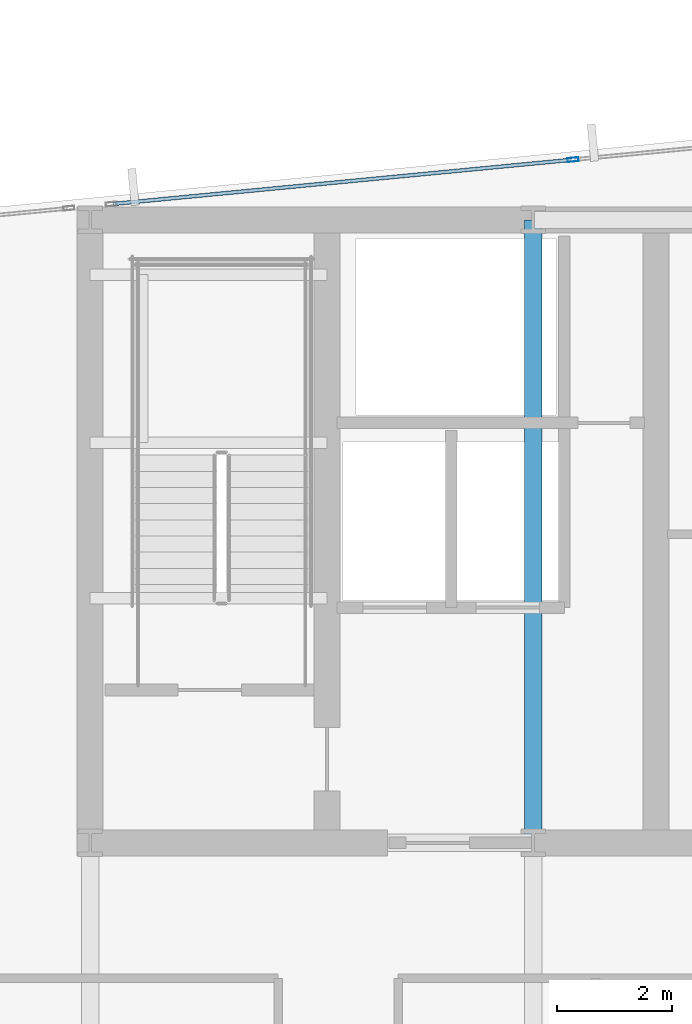
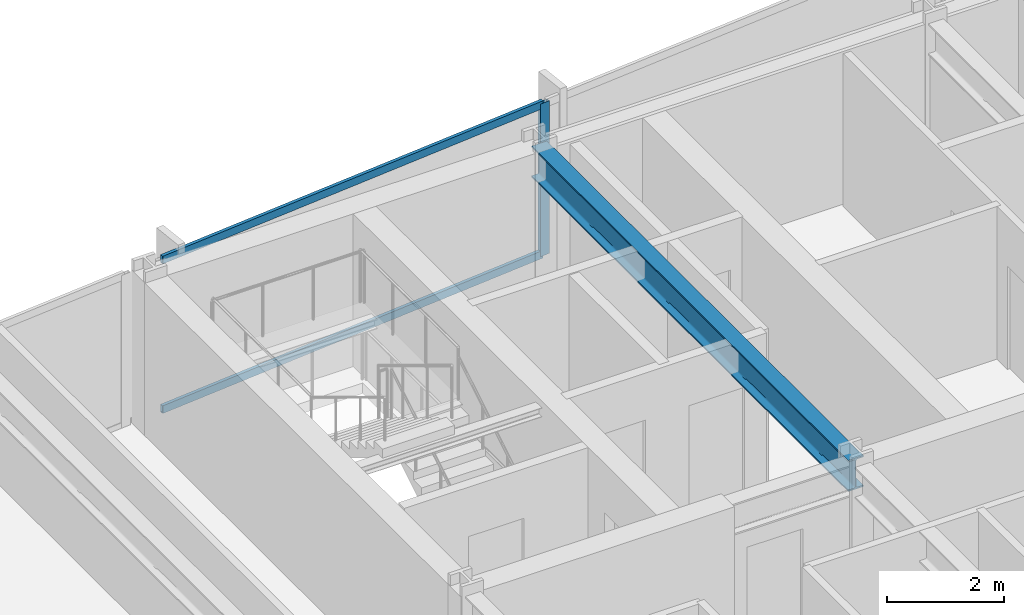
# One storey, part 18 of 33: 3 members, 1 beam, 1 element without a shape of its own.
"""IFC4 building model written with IfcOpenShell, lengths in metres."""

from ifc_helpers import new_model, si_unit, direction, frame, origin, origin_2d, place, context, subcontext, project, spatial, hollow_rectangle, i_section, extrude, material, material_profile, profile_set, type_object, element, aggregate, save


model = new_model("IFC4")

# Units and contexts
model_context = context("Model", 3, precision=1e-05, world=origin(), true_north=direction((0.0, 1.0)))
body_context = subcontext(model_context, "Body", "Model", "MODEL_VIEW")
ifc_project = project(units=[si_unit("LENGTHUNIT", "METRE"), si_unit("AREAUNIT", "SQUARE_METRE"), si_unit("VOLUMEUNIT", "CUBIC_METRE"), si_unit("PLANEANGLEUNIT", "RADIAN"), si_unit("MASSUNIT", "GRAM", prefix="KILO")], contexts=[model_context])

# Site, building, storey
site_placement = place(None, origin())
site = spatial("IfcSite", under=ifc_project, at=site_placement, CompositionType="ELEMENT")
building_placement = place(site_placement, origin())
building = spatial("IfcBuilding", under=site, at=building_placement, Name="Yelkora Congress Tower", CompositionType="ELEMENT")
storey_placement = place(building_placement, frame((0.0, 0.0, 110.10009765625)))
storey = spatial("IfcBuildingStorey", under=building, at=storey_placement, Name="L29", CompositionType="ELEMENT", Elevation=110.10009765625)

# Beam
ifc_material_1 = material(Name="Steel S355J2", Category="steel")
ifc_material_profile_1 = material_profile(ifc_material_1, i_section(OverallWidth=0.300048828125, OverallDepth=0.64990234375, WebThickness=0.01611328125, FlangeThickness=0.031005859375, FilletRadius=0.027099609375, at=origin_2d()), Name="HEB 650")
ifc_profile_set_1 = profile_set([ifc_material_profile_1], Name="Steel S355J2")
beam_type = type_object("IfcBeamType", Name="BM-GIRD-HEB650", PredefinedType="BEAM", material=ifc_profile_set_1)
beam_placement = place(storey_placement, frame((30.719970703125, 35.39990234375, 2.85498046875), z_axis=(0.0, 1.0, 0.0), x_axis=(-1.0, 0.0, 0.0)))
element("IfcBeam", 1, at=beam_placement, inside=storey, type_object=beam_type, Name="L29 Core Tie Girder MC-S2", PredefinedType="BEAM", context=body_context, shape_type="SweptSolid", body=[
    extrude(i_section(OverallWidth=0.300048828125, OverallDepth=0.64990234375, WebThickness=0.01611328125, FlangeThickness=0.031005859375, FilletRadius=0.027099609375, at=origin_2d()), origin(), (0.0, 0.0, 1.0), 10.800048828125),
])

# Curtain wall, members
ifc_material_2 = material(Name="Anodised aluminium and insulated glass", Category="aluminium")
curtain_wall_type = type_object("IfcCurtainWallType", Name="CW-SYS-B2", PredefinedType="NOTDEFINED", material=ifc_material_2)
curtain_wall_placement = place(storey_placement, origin())
curtain_wall = element("IfcCurtainWall", 2, at=curtain_wall_placement, inside=storey, type_object=curtain_wall_type, Name="L29 Unitised Curtain Wall 10 (3)", PredefinedType="NOTDEFINED")
ifc_material_3 = material(Name="Anodised aluminium 6063-T6", Category="aluminium")
ifc_material_profile_2 = material_profile(ifc_material_3, hollow_rectangle(XDim=0.070068359375, YDim=0.18994140625, WallThickness=0.00390625, at=origin_2d()), Name="ALU 70x190x4")
ifc_profile_set_2 = profile_set([ifc_material_profile_2], Name="Anodised aluminium 6063-T6")
member_type_1 = type_object("IfcMemberType", Name="MEM-ML-B2", PredefinedType="MULLION", material=ifc_profile_set_2)
member_1_placement = place(storey_placement, frame((31.411865234375, 47.244140625, 0.0), z_axis=(0.0, 0.0, 1.0), x_axis=(-0.095844238468, 0.995396344153, 0.0)))
member_1 = element("IfcMember", 3, at=member_1_placement, type_object=member_type_1, Name="CW-B2 mullion 2", PredefinedType="MULLION", context=body_context, shape_type="SweptSolid", body=[
    extrude(hollow_rectangle(XDim=0.070068359375, YDim=0.18994140625, WallThickness=0.00390625, at=origin_2d()), origin(), (0.0, 0.0, 1.0), 3.179931640625),
])
ifc_material_profile_3 = material_profile(ifc_material_3, hollow_rectangle(XDim=0.06494140625, YDim=0.159912109375, WallThickness=0.00390625, at=origin_2d()), Name="ALU 65x160x4")
ifc_profile_set_3 = profile_set([ifc_material_profile_3], Name="Anodised aluminium 6063-T6")
member_type_2 = type_object("IfcMemberType", Name="MEM-TR-B2", PredefinedType="USERDEFINED", material=ifc_profile_set_3)
member_2_placement = place(storey_placement, frame((23.441650390625, 46.476806640625, 0.032470703125), z_axis=(0.995398474706, 0.09582210889, 0.0), x_axis=(-0.09582210889, 0.995398474706, 0.0)))
member_2 = element("IfcMember", 4, at=member_2_placement, type_object=member_type_2, Name="CW-B2 transom 1.1", ObjectType="TRANSOM", PredefinedType="USERDEFINED", context=body_context, shape_type="SweptSolid", body=[
    extrude(hollow_rectangle(XDim=0.06494140625, YDim=0.159912109375, WallThickness=0.00390625, at=origin_2d()), origin(), (0.0, 0.0, 1.0), 7.97216796875),
])
member_3_placement = place(storey_placement, frame((23.441650390625, 46.476806640625, 3.1474609375), z_axis=(0.995398474706, 0.09582210889, 0.0), x_axis=(-0.09582210889, 0.995398474706, 0.0)))
member_3 = element("IfcMember", 5, at=member_3_placement, type_object=member_type_2, Name="CW-B2 transom 1.2", ObjectType="TRANSOM", PredefinedType="USERDEFINED", context=body_context, shape_type="SweptSolid", body=[
    extrude(hollow_rectangle(XDim=0.06494140625, YDim=0.159912109375, WallThickness=0.00390625, at=origin_2d()), origin(), (0.0, 0.0, 1.0), 7.97216796875),
])
aggregate(curtain_wall, [member_1, member_2, member_3])

save(model, "model.ifc")
